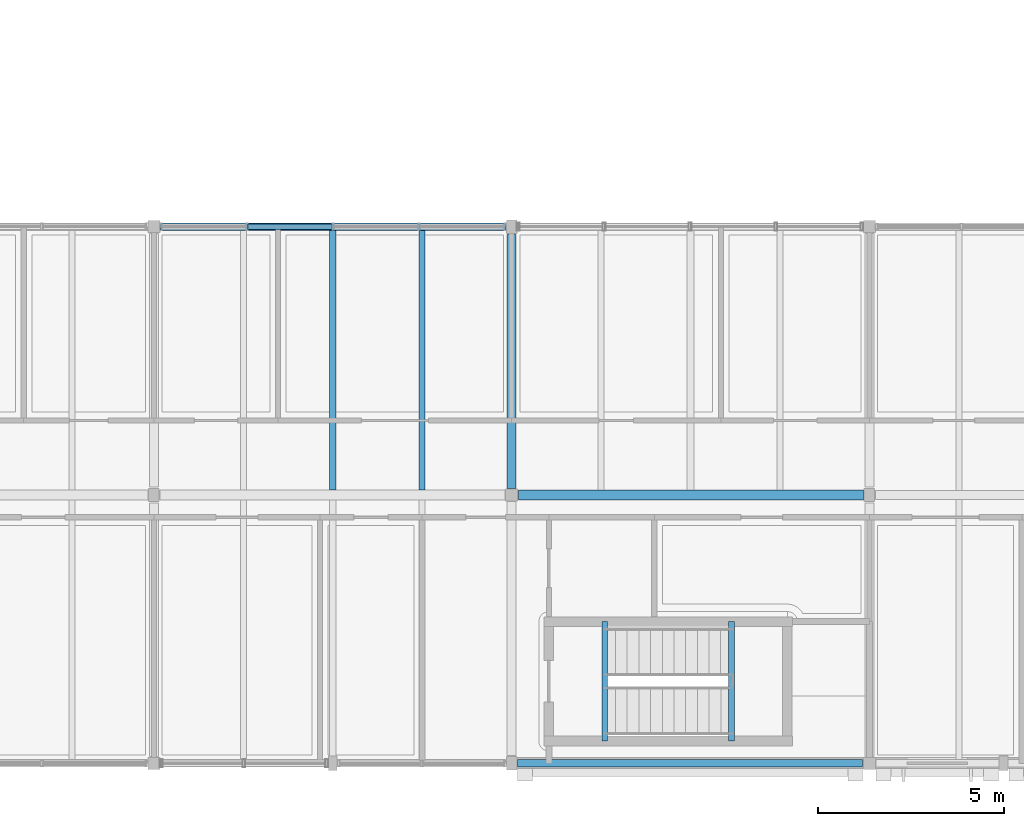
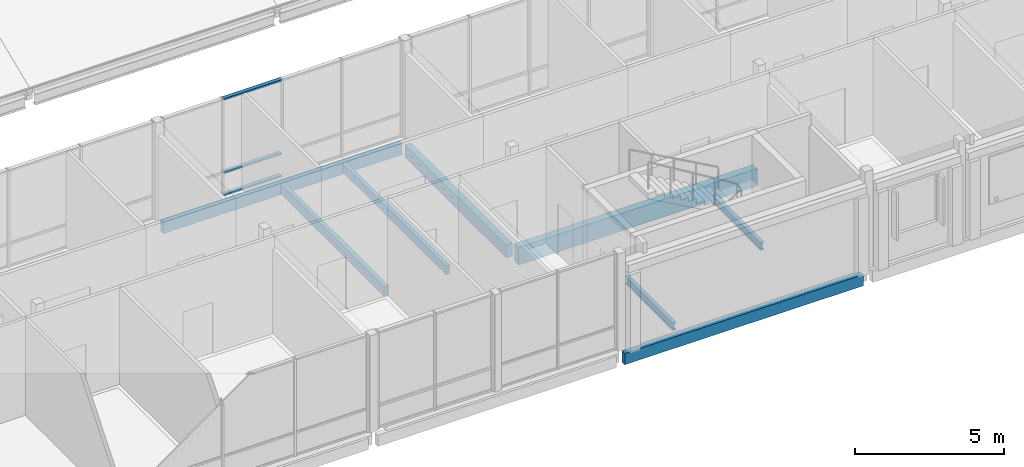
# One storey, part 37 of 115: 8 beams, 3 members, 1 element without a shape of its own.
"""IFC4 building model written with IfcOpenShell, lengths in metres."""

from ifc_helpers import new_model, si_unit, direction, frame, origin, origin_2d, place, context, subcontext, project, spatial, rectangle, hollow_rectangle, i_section, extrude, material, material_profile, profile_set, type_object, element, aggregate, save


model = new_model("IFC4")

# Units and contexts
model_context = context("Model", 3, precision=1e-05, world=origin(), true_north=direction((0.0, 1.0)))
body_context = subcontext(model_context, "Body", "Model", "MODEL_VIEW")
ifc_project = project(units=[si_unit("LENGTHUNIT", "METRE"), si_unit("AREAUNIT", "SQUARE_METRE"), si_unit("VOLUMEUNIT", "CUBIC_METRE"), si_unit("PLANEANGLEUNIT", "RADIAN"), si_unit("MASSUNIT", "GRAM", prefix="KILO")], contexts=[model_context])

# Site, building, storey
site_placement = place(None, origin())
site = spatial("IfcSite", under=ifc_project, at=site_placement, CompositionType="ELEMENT")
building_placement = place(site_placement, origin())
building = spatial("IfcBuilding", under=site, at=building_placement, Name="Hawrajan Terrace Health Centre", CompositionType="ELEMENT")
storey_placement = place(building_placement, frame((0.0, 0.0, 9.0)))
storey = spatial("IfcBuildingStorey", under=building, at=storey_placement, Name="L02", CompositionType="ELEMENT", Elevation=9.0)

# Curtain wall, members
ifc_material_1 = material(Name="Anodized bronze aluminium and low-E solar glazing", Category="aluminium")
curtain_wall_type = type_object("IfcCurtainWallType", Name="CW_Setback_SeriesL1", PredefinedType="USERDEFINED", material=ifc_material_1)
curtain_wall_placement = place(storey_placement, origin())
curtain_wall = element("IfcCurtainWall", 1, at=curtain_wall_placement, inside=storey, type_object=curtain_wall_type, Name="Curtain wall CW-L02-142", ObjectType="UNITISED CURTAIN WALL", PredefinedType="USERDEFINED")
ifc_material_2 = material(Name="Anodized bronze aluminium 6063-T6", Category="aluminium")
ifc_material_profile_1 = material_profile(ifc_material_2, hollow_rectangle(XDim=0.06494140625, YDim=0.14990234375, WallThickness=0.00390625, at=origin_2d()), Name="CW TRN 65x150")
ifc_profile_set_1 = profile_set([ifc_material_profile_1], Name="Anodized bronze aluminium 6063-T6")
member_type = type_object("IfcMemberType", Name="CWTransom_65x150", PredefinedType="USERDEFINED", material=ifc_profile_set_1)
member_1_placement = place(storey_placement, frame((83.927734375, 18.60009765625, 0.032470703125), z_axis=(1.0, 0.0, 0.0), x_axis=(0.0, 0.0, 1.0)))
member_1 = element("IfcMember", 2, at=member_1_placement, type_object=member_type, Name="Transom CW-L02-142-T2-1", ObjectType="TRANSOM", PredefinedType="USERDEFINED", context=body_context, shape_type="SweptSolid", body=[
    extrude(hollow_rectangle(XDim=0.06494140625, YDim=0.14990234375, WallThickness=0.00390625, at=origin_2d()), origin(), (0.0, 0.0, 1.0), 2.255859375),
])
member_2_placement = place(storey_placement, frame((83.927734375, 18.60009765625, 0.949951171875), z_axis=(1.0, 0.0, 0.0), x_axis=(0.0, 0.0, 1.0)))
member_2 = element("IfcMember", 3, at=member_2_placement, type_object=member_type, Name="Transom CW-L02-142-T2-2", ObjectType="TRANSOM", PredefinedType="USERDEFINED", context=body_context, shape_type="SweptSolid", body=[
    extrude(hollow_rectangle(XDim=0.06494140625, YDim=0.14990234375, WallThickness=0.00390625, at=origin_2d()), origin(), (0.0, 0.0, 1.0), 2.255859375),
])
member_3_placement = place(storey_placement, frame((83.927734375, 18.60009765625, 3.95751953125), z_axis=(1.0, 0.0, 0.0), x_axis=(0.0, 0.0, 1.0)))
member_3 = element("IfcMember", 4, at=member_3_placement, type_object=member_type, Name="Transom CW-L02-142-T2-3", ObjectType="TRANSOM", PredefinedType="USERDEFINED", context=body_context, shape_type="SweptSolid", body=[
    extrude(hollow_rectangle(XDim=0.06494140625, YDim=0.14990234375, WallThickness=0.00390625, at=origin_2d()), origin(), (0.0, 0.0, 1.0), 2.255859375),
])
aggregate(curtain_wall, [member_1, member_2, member_3])

# Beams
ifc_material_3 = material(Name="Glulam GL32h", Category="wood")
ifc_material_profile_2 = material_profile(ifc_material_3, rectangle(XDim=0.239990234375, YDim=0.52001953125, at=origin_2d()), Name="GL BM 240x520")
ifc_profile_set_2 = profile_set([ifc_material_profile_2], Name="Glulam GL32h")
beam_type_1 = type_object("IfcBeamType", Name="GlulamGirder_240x520", PredefinedType="BEAM", material=ifc_profile_set_2)
beam_1_placement = place(storey_placement, frame((91.0, 11.580078125, -0.5), z_axis=(0.0, 1.0, 0.0), x_axis=(-1.0, 0.0, 0.0)))
element("IfcBeam", 5, at=beam_1_placement, inside=storey, type_object=beam_type_1, Name="Beam BM-Y-L02-C-X12-2", PredefinedType="BEAM", context=body_context, shape_type="SweptSolid", body=[
    extrude(rectangle(XDim=0.239990234375, YDim=0.52001953125, at=origin_2d()), origin(), (0.0, 0.0, 1.0), 6.809814453125),
])
ifc_material_profile_3 = material_profile(ifc_material_3, rectangle(XDim=0.280029296875, YDim=0.719970703125, at=origin_2d()), Name="GL BM 280x720")
ifc_profile_set_3 = profile_set([ifc_material_profile_3], Name="Glulam GL32h")
beam_type_2 = type_object("IfcBeamType", Name="GlulamGirder_280x720", PredefinedType="BEAM", material=ifc_profile_set_3)
beam_2_placement = place(storey_placement, frame((91.179931640625, 11.39990234375, -0.60009765625), z_axis=(1.0, 0.0, 0.0), x_axis=(0.0, 1.0, 0.0)))
element("IfcBeam", 6, at=beam_2_placement, inside=storey, type_object=beam_type_2, Name="Beam BM-X-L02-C-12-Y2", PredefinedType="BEAM", context=body_context, shape_type="SweptSolid", body=[
    extrude(rectangle(XDim=0.280029296875, YDim=0.719970703125, at=origin_2d()), origin(), (0.0, 0.0, 1.0), 9.260009765625),
])
ifc_material_4 = material(Name="Glulam GL28h", Category="wood")
ifc_material_profile_4 = material_profile(ifc_material_4, rectangle(XDim=0.159912109375, YDim=0.360107421875, at=origin_2d()), Name="GL JST 160x360")
ifc_profile_set_4 = profile_set([ifc_material_profile_4], Name="Glulam GL28h")
beam_type_3 = type_object("IfcBeamType", Name="GlulamJoist_160x360", PredefinedType="JOIST", material=ifc_profile_set_4)
beam_3_placement = place(storey_placement, frame((88.60009765625, 11.5400390625, -0.419921875), z_axis=(0.0, 1.0, 0.0), x_axis=(-1.0, 0.0, 0.0)))
element("IfcBeam", 7, at=beam_3_placement, inside=storey, type_object=beam_type_3, Name="Secondary joist JST-L02-C-11-2-3", PredefinedType="JOIST", context=body_context, shape_type="SweptSolid", body=[
    extrude(rectangle(XDim=0.159912109375, YDim=0.360107421875, at=origin_2d()), origin(), (0.0, 0.0, 1.0), 6.9599609375),
])
ifc_material_profile_5 = material_profile(ifc_material_4, rectangle(XDim=0.179931640625, YDim=0.39990234375, at=origin_2d()), Name="GL JST 180x400")
ifc_profile_set_5 = profile_set([ifc_material_profile_5], Name="Glulam GL28h")
beam_type_4 = type_object("IfcBeamType", Name="GlulamJoist_180x400", PredefinedType="JOIST", material=ifc_profile_set_5)
beam_4_placement = place(storey_placement, frame((86.199951171875, 11.5400390625, -0.43994140625), z_axis=(0.0, 1.0, 0.0), x_axis=(-1.0, 0.0, 0.0)))
element("IfcBeam", 8, at=beam_4_placement, inside=storey, type_object=beam_type_4, Name="Secondary joist JST-L02-C-11-2-2", PredefinedType="JOIST", context=body_context, shape_type="SweptSolid", body=[
    extrude(rectangle(XDim=0.179931640625, YDim=0.39990234375, at=origin_2d()), origin(), (0.0, 0.0, 1.0), 6.9599609375),
])
ifc_material_profile_6 = material_profile(ifc_material_3, rectangle(XDim=0.199951171875, YDim=0.4599609375, at=origin_2d()), Name="GL SP 200x460")
ifc_profile_set_6 = profile_set([ifc_material_profile_6], Name="Glulam GL32h")
beam_type_5 = type_object("IfcBeamType", Name="GlulamSpandrel_200x460", PredefinedType="SPANDREL", material=ifc_profile_set_6)
for number, where, z_axis, x_axis, name in (
    (9, (81.580078125, 18.60009765625, -0.469970703125), (1.0, 0.0, 0.0), (0.0, 1.0, 0.0), "Beam BM-X-L02-C-11-Y3"),
    (10, (91.159912109375, 4.199951171875, -0.469970703125), (1.0, 0.0, 0.0), (0.0, 1.0, 0.0), "Beam BM-X-L02-C-12-Y1"),
):
    element("IfcBeam", number, at=place(storey_placement, frame(where, z_axis=z_axis, x_axis=x_axis)), inside=storey, type_object=beam_type_5, Name=name, PredefinedType="SPANDREL", context=body_context, shape_type="SweptSolid", body=[
        extrude(rectangle(XDim=0.199951171875, YDim=0.4599609375, at=origin_2d()), origin(), (0.0, 0.0, 1.0), 9.260009765625),
    ])
ifc_material_5 = material(Name="Steel S355", Category="steel")
ifc_material_profile_7 = material_profile(ifc_material_5, i_section(OverallWidth=0.14990234375, OverallDepth=0.300048828125, WebThickness=0.007080078125, FlangeThickness=0.0107421875, FilletRadius=0.014892578125, at=origin_2d()), Name="IPE 300")
ifc_profile_set_7 = profile_set([ifc_material_profile_7], Name="Steel S355")
beam_type_6 = type_object("IfcBeamType", Name="SteelBeam_IPE300", PredefinedType="JOIST", material=ifc_profile_set_7)
for number, where, z_axis, x_axis, name in (
    (11, (93.5, 4.800048828125, -0.3701171875), (0.0, 1.0, 0.0), (-1.0, 0.0, 0.0), "Stair landing trimmer ST-5-L02-B0"),
    (12, (96.89990234375, 4.800048828125, 1.72998046875), (0.0, 1.0, 0.0), (-1.0, 0.0, 0.0), "Stair half-landing trimmer ST-5-L02-B1"),
):
    element("IfcBeam", number, at=place(storey_placement, frame(where, z_axis=z_axis, x_axis=x_axis)), inside=storey, type_object=beam_type_6, Name=name, PredefinedType="JOIST", context=body_context, shape_type="SweptSolid", body=[
        extrude(i_section(OverallWidth=0.14990234375, OverallDepth=0.300048828125, WebThickness=0.007080078125, FlangeThickness=0.0107421875, FilletRadius=0.014892578125, at=origin_2d()), origin(), (0.0, 0.0, 1.0), 3.199951171875),
    ])

save(model, "model.ifc")
